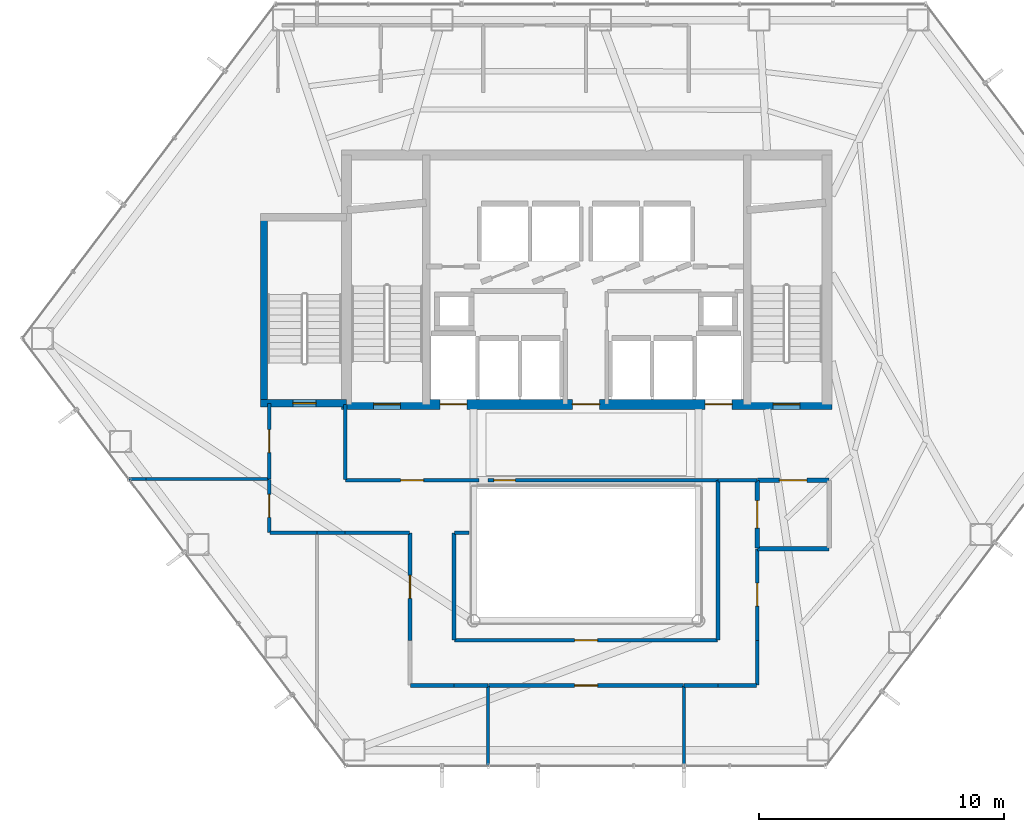
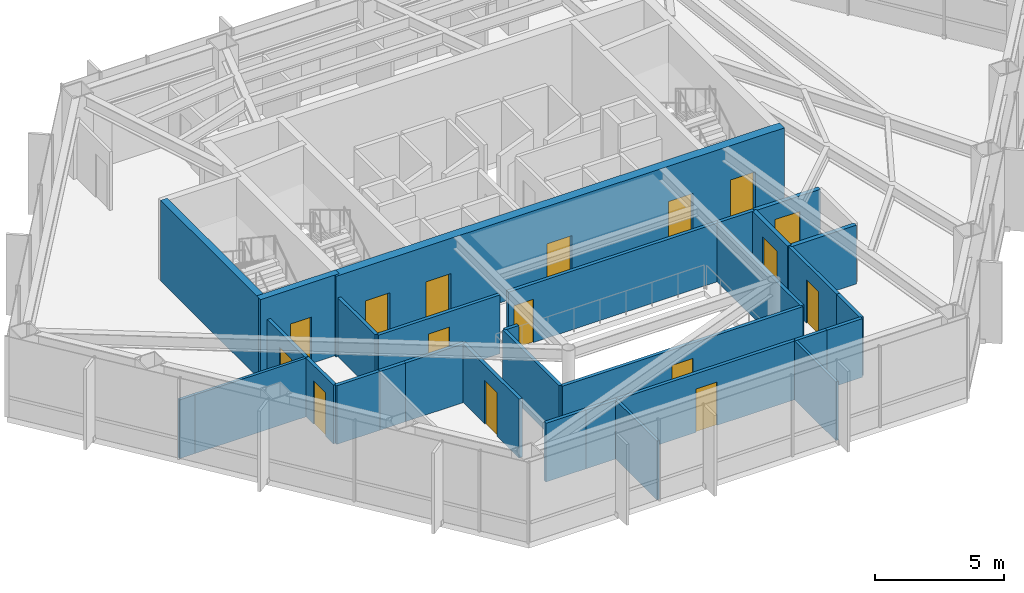
# One storey, part 22 of 25: 31 walls, 16 doors, 16 openings.
"""IFC4 building model written with IfcOpenShell, lengths in metres."""

from ifc_helpers import new_model, si_unit, direction, frame, frame_2d, origin, place, context, subcontext, project, spatial, rectangle, extrude, material, layer, layer_set, type_object, element, fill, save


model = new_model("IFC4")

# Units and contexts
model_context = context("Model", 3, precision=1e-05, world=origin(), true_north=direction((0.0, 1.0)))
body_context = subcontext(model_context, "Body", "Model", "MODEL_VIEW")
ifc_project = project(units=[si_unit("LENGTHUNIT", "METRE"), si_unit("AREAUNIT", "SQUARE_METRE"), si_unit("VOLUMEUNIT", "CUBIC_METRE"), si_unit("PLANEANGLEUNIT", "RADIAN"), si_unit("MASSUNIT", "GRAM", prefix="KILO")], contexts=[model_context])

# Site, building, storey
site_placement = place(None, origin())
site = spatial("IfcSite", under=ifc_project, at=site_placement, CompositionType="ELEMENT")
building_placement = place(site_placement, origin())
building = spatial("IfcBuilding", under=site, at=building_placement, Name="Zarrinselat Tower", CompositionType="ELEMENT")
storey_placement = place(building_placement, frame((0.0, 0.0, 84.659912109375)))
storey = spatial("IfcBuildingStorey", under=building, at=storey_placement, Name="L20", CompositionType="ELEMENT", Elevation=84.659912109375)

# Wall, opening, door
ifc_material_1 = material(Name="Concrete C40/50", Category="concrete")
ifc_layer_1 = layer(ifc_material_1, 0.18994140625)
ifc_layer_set_1 = layer_set([ifc_layer_1], Name="Concrete C40/50")
wall_type_1 = type_object("IfcWallType", Name="WAL-PART-EI120", PredefinedType="PARTITIONING", material=ifc_layer_set_1)
wall_1_placement = place(storey_placement, frame((45.405029296875, 30.14990234375, 0.0), z_axis=(0.0, 0.0, 1.0), x_axis=(1.0, 0.0, 0.0)))
wall_1 = element("IfcWall", 1, at=wall_1_placement, inside=storey, type_object=wall_type_1, Name="L20 Partition Wall 8", PredefinedType="PARTITIONING", context=body_context, shape_type="SweptSolid", body=[
    extrude(rectangle(XDim=2.925048828125, YDim=0.18994140625, at=frame_2d((1.46240234375, 0.0))), origin(), (0.0, 0.0, 1.0), 2.777099609375),
])
opening_1_placement = place(wall_1_placement, frame((0.902587890625, 0.0, 0.0)))
opening_1 = element("IfcOpeningElement", 2, at=opening_1_placement, cuts=wall_1, Name="Opening ID-02", PredefinedType="OPENING", context=body_context, shape_type="SweptSolid", body=[
    extrude(rectangle(XDim=1.1201171875, YDim=2.050048828125, at=frame_2d((0.56005859375, 1.02490234375))), frame((0.0, 0.10498046875, 0.0), z_axis=(0.0, -1.0, 0.0), x_axis=(1.0, 0.0, 0.0)), (0.0, 0.0, 1.0), 0.2099609375),
])
ifc_material_2 = material(Name="Steel S355J2", Category="steel")
door_type_1 = type_object("IfcDoorType", Name="DR-INT-FD60-W", OperationType="NOTDEFINED", PredefinedType="DOOR", material=ifc_material_2)
door_1_placement = place(opening_1_placement, origin())
door_1 = element("IfcDoor", 3, at=door_1_placement, inside=storey, type_object=door_type_1, Name="L20 Interior Door P8", OperationType="SINGLE_SWING_RIGHT", OverallHeight=2.050048828125, OverallWidth=1.1201171875, PredefinedType="DOOR", context=body_context, shape_type="SweptSolid", body=[
    extrude(rectangle(XDim=1.1201171875, YDim=2.050048828125, at=frame_2d((0.56005859375, 1.02490234375))), frame((0.0, 0.02490234375, 0.0), z_axis=(0.0, -1.0, 0.0), x_axis=(1.0, 0.0, 0.0)), (0.0, 0.0, 1.0), 0.050048828125),
])
fill(opening_1, door_1)

wall_2_placement = place(storey_placement, frame((45.39990234375, 27.3701171875, 0.0), z_axis=(0.0, 0.0, 1.0), x_axis=(0.0, 1.0, 0.0)))
wall_2 = element("IfcWall", 4, at=wall_2_placement, inside=storey, type_object=wall_type_1, Name="L20 Partition Wall 13", PredefinedType="PARTITIONING", context=body_context, shape_type="SweptSolid", body=[
    extrude(rectangle(XDim=2.759765625, YDim=0.18994140625, at=frame_2d((1.3798828125, 0.0))), origin(), (0.0, 0.0, 1.0), 2.777099609375),
])
opening_2_placement = place(wall_2_placement, frame((0.820068359375, 0.0, 0.0)))
opening_2 = element("IfcOpeningElement", 5, at=opening_2_placement, cuts=wall_2, Name="Opening ID-02", PredefinedType="OPENING", context=body_context, shape_type="SweptSolid", body=[
    extrude(rectangle(XDim=1.1201171875, YDim=2.050048828125, at=frame_2d((0.56005859375, 1.02490234375))), frame((0.0, 0.10498046875, 0.0), z_axis=(0.0, -1.0, 0.0), x_axis=(1.0, 0.0, 0.0)), (0.0, 0.0, 1.0), 0.2099609375),
])
door_2_placement = place(opening_2_placement, origin())
door_2 = element("IfcDoor", 6, at=door_2_placement, inside=storey, type_object=door_type_1, Name="L20 Interior Door P13", OperationType="SINGLE_SWING_LEFT", OverallHeight=2.050048828125, OverallWidth=1.1201171875, PredefinedType="DOOR", context=body_context, shape_type="SweptSolid", body=[
    extrude(rectangle(XDim=1.1201171875, YDim=2.050048828125, at=frame_2d((0.56005859375, 1.02490234375))), frame((0.0, 0.02490234375, 0.0), z_axis=(0.0, -1.0, 0.0), x_axis=(1.0, 0.0, 0.0)), (0.0, 0.0, 1.0), 0.050048828125),
])
fill(opening_2, door_2)

# Walls
wall_3_placement = place(storey_placement, frame((45.419921875, 27.35009765625, 0.0), z_axis=(0.0, 0.0, 1.0), x_axis=(1.0, 0.0, 0.0)))
element("IfcWall", 7, at=wall_3_placement, inside=storey, type_object=wall_type_1, Name="L20 Partition Wall 14", PredefinedType="PARTITIONING", context=body_context, shape_type="SweptSolid", body=[
    extrude(rectangle(XDim=2.91015625, YDim=0.18994140625, at=frame_2d((1.455078125, 0.0))), origin(), (0.0, 0.0, 1.0), 2.777099609375),
])
ifc_material_3 = material(Name="Fire-Rated Gypsum Board Partition", Category="gypsum")
ifc_layer_2 = layer(ifc_material_3, 0.14990234375)
ifc_layer_set_2 = layer_set([ifc_layer_2], Name="Fire-Rated Gypsum Board Partition")
wall_type_2 = type_object("IfcWallType", Name="WAL-PART-EI60", PredefinedType="PARTITIONING", material=ifc_layer_set_2)
wall_4_placement = place(storey_placement, frame((43.804931640625, 30.14990234375, 0.0), z_axis=(0.0, 0.0, 1.0), x_axis=(1.0, 0.0, 0.0)))
element("IfcWall", 8, at=wall_4_placement, inside=storey, type_object=wall_type_2, Name="L20 Partition Wall 9", PredefinedType="PARTITIONING", context=body_context, shape_type="SweptSolid", body=[
    extrude(rectangle(XDim=1.590087890625, YDim=0.14990234375, at=frame_2d((0.794921875, 0.0))), origin(), (0.0, 0.0, 1.0), 2.777099609375),
])

# Wall, opening, door
wall_5_placement = place(storey_placement, frame((28.570068359375, 30.14990234375, 0.0), z_axis=(0.0, 0.0, 1.0), x_axis=(1.0, 0.0, 0.0)))
wall_5 = element("IfcWall", 9, at=wall_5_placement, inside=storey, type_object=wall_type_2, Name="L20 Partition Wall 10", PredefinedType="PARTITIONING", context=body_context, shape_type="SweptSolid", body=[
    extrude(rectangle(XDim=5.44482421875, YDim=0.14990234375, at=frame_2d((2.722412109375, 0.0))), origin(), (0.0, 0.0, 1.0), 2.777099609375),
])
opening_3_placement = place(wall_5_placement, frame((2.25244140625, 0.0, 0.0)))
opening_3 = element("IfcOpeningElement", 10, at=opening_3_placement, cuts=wall_5, Name="Opening ID-04", PredefinedType="OPENING", context=body_context, shape_type="SweptSolid", body=[
    extrude(rectangle(XDim=0.93994140625, YDim=2.050048828125, at=frame_2d((0.469970703125, 1.02490234375))), frame((0.0, 0.0849609375, 0.0), z_axis=(0.0, -1.0, 0.0), x_axis=(1.0, 0.0, 0.0)), (0.0, 0.0, 1.0), 0.169921875),
])
ifc_material_4 = material(Name="Fire-Rated Gypsum Board Partition")
door_type_2 = type_object("IfcDoorType", Name="DR-INT-FD30-ENT", OperationType="NOTDEFINED", PredefinedType="DOOR", material=ifc_material_4)
door_3_placement = place(opening_3_placement, origin())
door_3 = element("IfcDoor", 11, at=door_3_placement, inside=storey, type_object=door_type_2, Name="L20 Interior Door P10", OperationType="SINGLE_SWING_LEFT", OverallHeight=2.050048828125, OverallWidth=0.93994140625, PredefinedType="DOOR", context=body_context, shape_type="SweptSolid", body=[
    extrude(rectangle(XDim=0.93994140625, YDim=2.050048828125, at=frame_2d((0.469970703125, 1.02490234375))), frame((0.0, 0.02490234375, 0.0), z_axis=(0.0, -1.0, 0.0), x_axis=(1.0, 0.0, 0.0)), (0.0, 0.0, 1.0), 0.050048828125),
])
fill(opening_3, door_3)

# Wall
wall_6_placement = place(storey_placement, frame((28.550048828125, 30.169921875, 0.0), z_axis=(0.0, 0.0, 1.0), x_axis=(0.0, 1.0, 0.0)))
element("IfcWall", 12, at=wall_6_placement, inside=storey, type_object=wall_type_2, Name="L20 Partition Wall 11", PredefinedType="PARTITIONING", context=body_context, shape_type="SweptSolid", body=[
    extrude(rectangle(XDim=3.065185546875, YDim=0.14990234375, at=frame_2d((1.53271484375, 0.0))), origin(), (0.0, 0.0, 1.0), 2.777099609375),
])

# Wall, opening, door
wall_7_placement = place(storey_placement, frame((34.385009765625, 30.14990234375, 0.0), z_axis=(0.0, 0.0, 1.0), x_axis=(1.0, 0.0, 0.0)))
wall_7 = element("IfcWall", 13, at=wall_7_placement, inside=storey, type_object=wall_type_2, Name="L20 Partition Wall 12", PredefinedType="PARTITIONING", context=body_context, shape_type="SweptSolid", body=[
    extrude(rectangle(XDim=9.409912109375, YDim=0.14990234375, at=frame_2d((4.705078125, 0.0))), origin(), (0.0, 0.0, 1.0), 2.777099609375),
])
opening_4_placement = place(wall_7_placement, frame((0.25, 0.0, 0.0)))
opening_4 = element("IfcOpeningElement", 14, at=opening_4_placement, cuts=wall_7, Name="Opening ID-03", PredefinedType="OPENING", context=body_context, shape_type="SweptSolid", body=[
    extrude(rectangle(XDim=0.8798828125, YDim=2.050048828125, at=frame_2d((0.43994140625, 1.02490234375))), frame((0.0, 0.0849609375, 0.0), z_axis=(0.0, -1.0, 0.0), x_axis=(1.0, 0.0, 0.0)), (0.0, 0.0, 1.0), 0.169921875),
])
ifc_material_5 = material(Name="Steel S355J2", Category="steel")
door_type_3 = type_object("IfcDoorType", Name="DR-INT-FD60-S", OperationType="NOTDEFINED", PredefinedType="DOOR", material=ifc_material_5)
door_4_placement = place(opening_4_placement, origin())
door_4 = element("IfcDoor", 15, at=door_4_placement, inside=storey, type_object=door_type_3, Name="L20 Interior Door P12", OperationType="SINGLE_SWING_RIGHT", OverallHeight=2.050048828125, OverallWidth=0.8798828125, PredefinedType="DOOR", context=body_context, shape_type="SweptSolid", body=[
    extrude(rectangle(XDim=0.8798828125, YDim=2.050048828125, at=frame_2d((0.43994140625, 1.02490234375))), frame((0.0, 0.02490234375, 0.0), z_axis=(0.0, -1.0, 0.0), x_axis=(1.0, 0.0, 0.0)), (0.0, 0.0, 1.0), 0.050048828125),
])
fill(opening_4, door_4)

wall_8_placement = place(storey_placement, frame((34.405029296875, 21.75, 0.0), z_axis=(0.0, 0.0, 1.0), x_axis=(1.0, 0.0, 0.0)))
wall_8 = element("IfcWall", 16, at=wall_8_placement, inside=storey, type_object=wall_type_2, Name="L20 Partition Wall 16", PredefinedType="PARTITIONING", context=body_context, shape_type="SweptSolid", body=[
    extrude(rectangle(XDim=7.989990234375, YDim=0.14990234375, at=frame_2d((3.9951171875, 0.0))), origin(), (0.0, 0.0, 1.0), 2.777099609375),
])
opening_5_placement = place(wall_8_placement, frame((3.52490234375, 0.0, 0.0)))
opening_5 = element("IfcOpeningElement", 17, at=opening_5_placement, cuts=wall_8, Name="Opening ID-04", PredefinedType="OPENING", context=body_context, shape_type="SweptSolid", body=[
    extrude(rectangle(XDim=0.93994140625, YDim=2.050048828125, at=frame_2d((0.469970703125, 1.02490234375))), frame((0.0, 0.0849609375, 0.0), z_axis=(0.0, -1.0, 0.0), x_axis=(1.0, 0.0, 0.0)), (0.0, 0.0, 1.0), 0.169921875),
])
door_5_placement = place(opening_5_placement, origin())
door_5 = element("IfcDoor", 18, at=door_5_placement, inside=storey, type_object=door_type_2, Name="L20 Interior Door P16", OperationType="SINGLE_SWING_RIGHT", OverallHeight=2.050048828125, OverallWidth=0.93994140625, PredefinedType="DOOR", context=body_context, shape_type="SweptSolid", body=[
    extrude(rectangle(XDim=0.93994140625, YDim=2.050048828125, at=frame_2d((0.469970703125, 1.02490234375))), frame((0.0, 0.02490234375, 0.0), z_axis=(0.0, -1.0, 0.0), x_axis=(1.0, 0.0, 0.0)), (0.0, 0.0, 1.0), 0.050048828125),
])
fill(opening_5, door_5)

# Walls
wall_9_placement = place(storey_placement, frame((33.0, 21.75, 0.0), z_axis=(0.0, 0.0, 1.0), x_axis=(1.0, 0.0, 0.0)))
element("IfcWall", 19, at=wall_9_placement, inside=storey, type_object=wall_type_2, Name="L20 Partition Wall 17", PredefinedType="PARTITIONING", context=body_context, shape_type="SweptSolid", body=[
    extrude(rectangle(XDim=1.39501953125, YDim=0.14990234375, at=frame_2d((0.697509765625, 0.0))), origin(), (0.0, 0.0, 1.0), 2.777099609375),
])
wall_10_placement = place(storey_placement, frame((31.219970703125, 21.75, 0.0), z_axis=(0.0, 0.0, 1.0), x_axis=(1.0, 0.0, 0.0)))
element("IfcWall", 20, at=wall_10_placement, inside=storey, type_object=wall_type_2, Name="L20 Partition Wall 18", PredefinedType="PARTITIONING", context=body_context, shape_type="SweptSolid", body=[
    extrude(rectangle(XDim=1.780029296875, YDim=0.14990234375, at=frame_2d((0.89013671875, 0.0))), origin(), (0.0, 0.0, 1.0), 2.777099609375),
])

# Wall, opening, door
wall_11_placement = place(storey_placement, frame((31.199951171875, 23.60009765625, 0.0), z_axis=(0.0, 0.0, 1.0), x_axis=(0.0, 1.0, 0.0)))
wall_11 = element("IfcWall", 21, at=wall_11_placement, inside=storey, type_object=wall_type_2, Name="L20 Partition Wall 20", PredefinedType="PARTITIONING", context=body_context, shape_type="SweptSolid", body=[
    extrude(rectangle(XDim=4.3798828125, YDim=0.14990234375, at=frame_2d((2.18994140625, 0.0))), origin(), (0.0, 0.0, 1.0), 2.777099609375),
])
opening_6_placement = place(wall_11_placement, frame((1.719970703125, 0.0, 0.0)))
opening_6 = element("IfcOpeningElement", 22, at=opening_6_placement, cuts=wall_11, Name="Opening ID-04", PredefinedType="OPENING", context=body_context, shape_type="SweptSolid", body=[
    extrude(rectangle(XDim=0.93994140625, YDim=2.050048828125, at=frame_2d((0.469970703125, 1.02490234375))), frame((0.0, 0.0849609375, 0.0), z_axis=(0.0, -1.0, 0.0), x_axis=(1.0, 0.0, 0.0)), (0.0, 0.0, 1.0), 0.169921875),
])
door_6_placement = place(opening_6_placement, origin())
door_6 = element("IfcDoor", 23, at=door_6_placement, inside=storey, type_object=door_type_2, Name="L20 Interior Door P20", OperationType="SINGLE_SWING_LEFT", OverallHeight=2.050048828125, OverallWidth=0.93994140625, PredefinedType="DOOR", context=body_context, shape_type="SweptSolid", body=[
    extrude(rectangle(XDim=0.93994140625, YDim=2.050048828125, at=frame_2d((0.469970703125, 1.02490234375))), frame((0.0, 0.02490234375, 0.0), z_axis=(0.0, -1.0, 0.0), x_axis=(1.0, 0.0, 0.0)), (0.0, 0.0, 1.0), 0.050048828125),
])
fill(opening_6, door_6)

# Walls
wall_12_placement = place(storey_placement, frame((28.550048828125, 28.0, 0.0), z_axis=(0.0, 0.0, 1.0), x_axis=(1.0, 0.0, 0.0)))
element("IfcWall", 24, at=wall_12_placement, inside=storey, type_object=wall_type_2, Name="L20 Partition Wall 21", PredefinedType="PARTITIONING", context=body_context, shape_type="SweptSolid", body=[
    extrude(rectangle(XDim=2.6298828125, YDim=0.14990234375, at=frame_2d((1.31494140625, 0.0))), origin(), (0.0, 0.0, 1.0), 2.777099609375),
])
wall_13_placement = place(storey_placement, frame((27.405029296875, 28.0, 0.0), z_axis=(0.0, 0.0, 1.0), x_axis=(1.0, 0.0, 0.0)))
element("IfcWall", 25, at=wall_13_placement, inside=storey, type_object=wall_type_2, Name="L20 Partition Wall 22", PredefinedType="PARTITIONING", context=body_context, shape_type="SweptSolid", body=[
    extrude(rectangle(XDim=1.14501953125, YDim=0.14990234375, at=frame_2d((0.572509765625, 0.0))), origin(), (0.0, 0.0, 1.0), 2.777099609375),
])

# Wall, opening, door
wall_14_placement = place(storey_placement, frame((45.39990234375, 23.60009765625, 0.0), z_axis=(0.0, 0.0, 1.0), x_axis=(0.0, 1.0, 0.0)))
wall_14 = element("IfcWall", 26, at=wall_14_placement, inside=storey, type_object=wall_type_2, Name="L20 Partition Wall 23", PredefinedType="PARTITIONING", context=body_context, shape_type="SweptSolid", body=[
    extrude(rectangle(XDim=3.72998046875, YDim=0.14990234375, at=frame_2d((1.864990234375, 0.0))), origin(), (0.0, 0.0, 1.0), 2.777099609375),
])
opening_7_placement = place(wall_14_placement, frame((1.39501953125, 0.0, 0.0)))
opening_7 = element("IfcOpeningElement", 27, at=opening_7_placement, cuts=wall_14, Name="Opening ID-04", PredefinedType="OPENING", context=body_context, shape_type="SweptSolid", body=[
    extrude(rectangle(XDim=0.93994140625, YDim=2.050048828125, at=frame_2d((0.469970703125, 1.02490234375))), frame((0.0, 0.0849609375, 0.0), z_axis=(0.0, -1.0, 0.0), x_axis=(1.0, 0.0, 0.0)), (0.0, 0.0, 1.0), 0.169921875),
])
door_7_placement = place(opening_7_placement, origin())
door_7 = element("IfcDoor", 28, at=door_7_placement, inside=storey, type_object=door_type_2, Name="L20 Interior Door P23", OperationType="SINGLE_SWING_RIGHT", OverallHeight=2.050048828125, OverallWidth=0.93994140625, PredefinedType="DOOR", context=body_context, shape_type="SweptSolid", body=[
    extrude(rectangle(XDim=0.93994140625, YDim=2.050048828125, at=frame_2d((0.469970703125, 1.02490234375))), frame((0.0, 0.02490234375, 0.0), z_axis=(0.0, -1.0, 0.0), x_axis=(1.0, 0.0, 0.0)), (0.0, 0.0, 1.0), 0.050048828125),
])
fill(opening_7, door_7)

# Walls
wall_15_placement = place(storey_placement, frame((45.39990234375, 21.77001953125, 0.0), z_axis=(0.0, 0.0, 1.0), x_axis=(0.0, 1.0, 0.0)))
element("IfcWall", 29, at=wall_15_placement, inside=storey, type_object=wall_type_2, Name="L20 Partition Wall 24", PredefinedType="PARTITIONING", context=body_context, shape_type="SweptSolid", body=[
    extrude(rectangle(XDim=1.830078125, YDim=0.14990234375, at=frame_2d((0.9150390625, 0.0))), origin(), (0.0, 0.0, 1.0), 2.777099609375),
])
wall_16_placement = place(storey_placement, frame((43.800048828125, 21.75, 0.0), z_axis=(0.0, 0.0, 1.0), x_axis=(1.0, 0.0, 0.0)))
element("IfcWall", 30, at=wall_16_placement, inside=storey, type_object=wall_type_2, Name="L20 Partition Wall 25", PredefinedType="PARTITIONING", context=body_context, shape_type="SweptSolid", body=[
    extrude(rectangle(XDim=1.579833984375, YDim=0.14990234375, at=frame_2d((0.7900390625, 0.0))), origin(), (0.0, 0.0, 1.0), 2.777099609375),
])
wall_17_placement = place(storey_placement, frame((42.405029296875, 21.75, 0.0), z_axis=(0.0, 0.0, 1.0), x_axis=(1.0, 0.0, 0.0)))
element("IfcWall", 31, at=wall_17_placement, inside=storey, type_object=wall_type_2, Name="L20 Partition Wall 26", PredefinedType="PARTITIONING", context=body_context, shape_type="SweptSolid", body=[
    extrude(rectangle(XDim=1.39501953125, YDim=0.14990234375, at=frame_2d((0.697509765625, 0.0))), origin(), (0.0, 0.0, 1.0), 2.777099609375),
])
wall_18_placement = place(storey_placement, frame((25.469970703125, 28.0, 0.0), z_axis=(0.0, 0.0, 1.0), x_axis=(1.0, 0.0, 0.0)))
element("IfcWall", 32, at=wall_18_placement, inside=storey, type_object=wall_type_2, Name="L20 Partition Wall 27", PredefinedType="PARTITIONING", context=body_context, shape_type="SweptSolid", body=[
    extrude(rectangle(XDim=1.925048828125, YDim=0.14990234375, at=frame_2d((0.96240234375, 0.0))), origin(), (0.0, 0.0, 1.0), 2.777099609375),
])

# Wall, opening, door
wall_19_placement = place(storey_placement, frame((25.449951171875, 28.02001953125, 0.0), z_axis=(0.0, 0.0, 1.0), x_axis=(0.0, 1.0, 0.0)))
wall_19 = element("IfcWall", 33, at=wall_19_placement, inside=storey, type_object=wall_type_2, Name="L20 Partition Wall 28", PredefinedType="PARTITIONING", context=body_context, shape_type="SweptSolid", body=[
    extrude(rectangle(XDim=2.1650390625, YDim=0.14990234375, at=frame_2d((1.08251953125, 0.0))), origin(), (0.0, 0.0, 1.0), 2.777099609375),
])
opening_8_placement = place(wall_19_placement, frame((0.612548828125, 0.0, 0.0)))
opening_8 = element("IfcOpeningElement", 34, at=opening_8_placement, cuts=wall_19, Name="Opening ID-04", PredefinedType="OPENING", context=body_context, shape_type="SweptSolid", body=[
    extrude(rectangle(XDim=0.93994140625, YDim=2.050048828125, at=frame_2d((0.469970703125, 1.02490234375))), frame((0.0, 0.0849609375, 0.0), z_axis=(0.0, -1.0, 0.0), x_axis=(1.0, 0.0, 0.0)), (0.0, 0.0, 1.0), 0.169921875),
])
door_8_placement = place(opening_8_placement, origin())
door_8 = element("IfcDoor", 35, at=door_8_placement, inside=storey, type_object=door_type_2, Name="L20 Interior Door P28", OperationType="SINGLE_SWING_LEFT", OverallHeight=2.050048828125, OverallWidth=0.93994140625, PredefinedType="DOOR", context=body_context, shape_type="SweptSolid", body=[
    extrude(rectangle(XDim=0.93994140625, YDim=2.050048828125, at=frame_2d((0.469970703125, 1.02490234375))), frame((0.0, 0.02490234375, 0.0), z_axis=(0.0, -1.0, 0.0), x_axis=(1.0, 0.0, 0.0)), (0.0, 0.0, 1.0), 0.050048828125),
])
fill(opening_8, door_8)

wall_20_placement = place(storey_placement, frame((25.449951171875, 30.205078125, 0.0), z_axis=(0.0, 0.0, 1.0), x_axis=(0.0, 1.0, 0.0)))
wall_20 = element("IfcWall", 36, at=wall_20_placement, inside=storey, type_object=wall_type_2, Name="L20 Partition Wall 29", PredefinedType="PARTITIONING", context=body_context, shape_type="SweptSolid", body=[
    extrude(rectangle(XDim=3.079833984375, YDim=0.14990234375, at=frame_2d((1.5400390625, 0.0))), origin(), (0.0, 0.0, 1.0), 2.777099609375),
])
opening_9_placement = place(wall_20_placement, frame((1.070068359375, 0.0, 0.0)))
opening_9 = element("IfcOpeningElement", 37, at=opening_9_placement, cuts=wall_20, Name="Opening ID-04", PredefinedType="OPENING", context=body_context, shape_type="SweptSolid", body=[
    extrude(rectangle(XDim=0.93994140625, YDim=2.050048828125, at=frame_2d((0.469970703125, 1.02490234375))), frame((0.0, 0.0849609375, 0.0), z_axis=(0.0, -1.0, 0.0), x_axis=(1.0, 0.0, 0.0)), (0.0, 0.0, 1.0), 0.169921875),
])
door_9_placement = place(opening_9_placement, origin())
door_9 = element("IfcDoor", 38, at=door_9_placement, inside=storey, type_object=door_type_2, Name="L20 Interior Door P29", OperationType="SINGLE_SWING_RIGHT", OverallHeight=2.050048828125, OverallWidth=0.93994140625, PredefinedType="DOOR", context=body_context, shape_type="SweptSolid", body=[
    extrude(rectangle(XDim=0.93994140625, YDim=2.050048828125, at=frame_2d((0.469970703125, 1.02490234375))), frame((0.0, 0.02490234375, 0.0), z_axis=(0.0, -1.0, 0.0), x_axis=(1.0, 0.0, 0.0)), (0.0, 0.0, 1.0), 0.050048828125),
])
fill(opening_9, door_9)

# Walls
wall_21_placement = place(storey_placement, frame((33.02001953125, 28.0, 0.0), z_axis=(0.0, 0.0, 1.0), x_axis=(1.0, 0.0, 0.0)))
element("IfcWall", 39, at=wall_21_placement, inside=storey, type_object=wall_type_2, Name="L20 Partition Wall 30", PredefinedType="PARTITIONING", context=body_context, shape_type="SweptSolid", body=[
    extrude(rectangle(XDim=0.60009765625, YDim=0.14990234375, at=frame_2d((0.300048828125, 0.0))), origin(), (0.0, 0.0, 1.0), 2.777099609375),
])
wall_22_placement = place(storey_placement, frame((33.0, 23.6201171875, 0.0), z_axis=(0.0, 0.0, 1.0), x_axis=(0.0, 1.0, 0.0)))
element("IfcWall", 40, at=wall_22_placement, inside=storey, type_object=wall_type_2, Name="L20 Partition Wall 31", PredefinedType="PARTITIONING", context=body_context, shape_type="SweptSolid", body=[
    extrude(rectangle(XDim=4.35986328125, YDim=0.14990234375, at=frame_2d((2.179931640625, 0.0))), origin(), (0.0, 0.0, 1.0), 2.777099609375),
])

# Wall, opening, door
wall_23_placement = place(storey_placement, frame((33.02001953125, 23.60009765625, 0.0), z_axis=(0.0, 0.0, 1.0), x_axis=(1.0, 0.0, 0.0)))
wall_23 = element("IfcWall", 41, at=wall_23_placement, inside=storey, type_object=wall_type_2, Name="L20 Partition Wall 32", PredefinedType="PARTITIONING", context=body_context, shape_type="SweptSolid", body=[
    extrude(rectangle(XDim=10.760009765625, YDim=0.14990234375, at=frame_2d((5.3798828125, 0.0))), origin(), (0.0, 0.0, 1.0), 2.777099609375),
])
opening_10_placement = place(wall_23_placement, frame((4.909912109375, 0.0, 0.0)))
opening_10 = element("IfcOpeningElement", 42, at=opening_10_placement, cuts=wall_23, Name="Opening ID-04", PredefinedType="OPENING", context=body_context, shape_type="SweptSolid", body=[
    extrude(rectangle(XDim=0.93994140625, YDim=2.050048828125, at=frame_2d((0.469970703125, 1.02490234375))), frame((0.0, 0.0849609375, 0.0), z_axis=(0.0, -1.0, 0.0), x_axis=(1.0, 0.0, 0.0)), (0.0, 0.0, 1.0), 0.169921875),
])
door_10_placement = place(opening_10_placement, origin())
door_10 = element("IfcDoor", 43, at=door_10_placement, inside=storey, type_object=door_type_2, Name="L20 Interior Door P32", OperationType="SINGLE_SWING_LEFT", OverallHeight=2.050048828125, OverallWidth=0.93994140625, PredefinedType="DOOR", context=body_context, shape_type="SweptSolid", body=[
    extrude(rectangle(XDim=0.93994140625, YDim=2.050048828125, at=frame_2d((0.469970703125, 1.02490234375))), frame((0.0, 0.02490234375, 0.0), z_axis=(0.0, -1.0, 0.0), x_axis=(1.0, 0.0, 0.0)), (0.0, 0.0, 1.0), 0.050048828125),
])
fill(opening_10, door_10)

# Walls
wall_24_placement = place(storey_placement, frame((43.800048828125, 23.6201171875, 0.0), z_axis=(0.0, 0.0, 1.0), x_axis=(0.0, 1.0, 0.0)))
element("IfcWall", 44, at=wall_24_placement, inside=storey, type_object=wall_type_2, Name="L20 Partition Wall 33", PredefinedType="PARTITIONING", context=body_context, shape_type="SweptSolid", body=[
    extrude(rectangle(XDim=6.509765625, YDim=0.14990234375, at=frame_2d((3.2548828125, 0.0))), origin(), (0.0, 0.0, 1.0), 2.777099609375),
])
ifc_material_6 = material(Name="Fire-Rated Gypsum Board Partition", Category="gypsum")
ifc_layer_3 = layer(ifc_material_6, 0.1201171875)
ifc_layer_set_3 = layer_set([ifc_layer_3], Name="Fire-Rated Gypsum Board Partition")
wall_type_3 = type_object("IfcWallType", Name="WAL-PART-STD", PredefinedType="PARTITIONING", material=ifc_layer_set_3)
for number, where, z_axis, x_axis, name in (
    (45, (34.39990234375, 18.47509765625, 0.0), (0.0, 0.0, 1.0), (0.0, 1.0, 0.0), "L20 Partition Wall 44"),
    (46, (42.39990234375, 18.47509765625, 0.0), (0.0, 0.0, 1.0), (0.0, 1.0, 0.0), "L20 Partition Wall 45"),
):
    element("IfcWall", number, at=place(storey_placement, frame(where, z_axis=z_axis, x_axis=x_axis)), inside=storey, type_object=wall_type_3, Name=name, PredefinedType="PARTITIONING", context=body_context, shape_type="SweptSolid", body=[
        extrude(rectangle(XDim=3.2548828125, YDim=0.1201171875, at=frame_2d((1.62744140625, 0.0))), origin(), (0.0, 0.0, 1.0), 2.777099609375),
    ])
wall_25_placement = place(storey_placement, frame((19.715576171875, 30.199951171875, 0.0), z_axis=(0.0, 0.0, 1.0), x_axis=(1.0, 0.0, 0.0)))
element("IfcWall", 47, at=wall_25_placement, inside=storey, type_object=wall_type_3, Name="L20 Partition Wall 48", PredefinedType="PARTITIONING", context=body_context, shape_type="SweptSolid", body=[
    extrude(rectangle(XDim=0.684326171875, YDim=0.1201171875, at=frame_2d((0.34228515625, 0.0))), origin(), (0.0, 0.0, 1.0), 2.777099609375),
])
wall_26_placement = place(storey_placement, frame((20.39990234375, 30.199951171875, 0.0), z_axis=(0.0, 0.0, 1.0), x_axis=(1.0, 0.0, 0.0)))
element("IfcWall", 48, at=wall_26_placement, inside=storey, type_object=wall_type_3, Name="L20 Partition Wall 49", PredefinedType="PARTITIONING", context=body_context, shape_type="SweptSolid", body=[
    extrude(rectangle(XDim=5.030029296875, YDim=0.1201171875, at=frame_2d((2.51513671875, 0.0))), origin(), (0.0, 0.0, 1.0), 2.777099609375),
])

# Wall, opening, door
ifc_material_7 = material(Name="Concrete C40/50", Category="concrete")
ifc_layer_4 = layer(ifc_material_7, 0.300048828125)
ifc_layer_set_4 = layer_set([ifc_layer_4], Name="Concrete C40/50")
wall_type_4 = type_object("IfcWallType", Name="WAL-SHEAR-300", PredefinedType="SHEAR", material=ifc_layer_set_4)
wall_27_placement = place(storey_placement, frame((25.080078125, 33.300048828125, 0.0), z_axis=(0.0, 0.0, 1.0), x_axis=(1.0, 0.0, 0.0)))
wall_27 = element("IfcWall", 49, at=wall_27_placement, inside=storey, type_object=wall_type_4, Name="L20 Stair 3 South Shear Wall", PredefinedType="SHEAR", context=body_context, shape_type="SweptSolid", body=[
    extrude(rectangle(XDim=3.52001953125, YDim=0.300048828125, at=frame_2d((1.760009765625, 0.0))), origin(), (0.0, 0.0, 1.0), 3.820068359375),
])
opening_11_placement = place(wall_27_placement, frame((1.3349609375, 0.0, 0.0)))
opening_11 = element("IfcOpeningElement", 50, at=opening_11_placement, cuts=wall_27, Name="Opening SD-02", PredefinedType="OPENING", context=body_context, shape_type="SweptSolid", body=[
    extrude(rectangle(XDim=0.949951171875, YDim=2.199951171875, at=frame_2d((0.47509765625, 1.10009765625))), frame((0.0, 0.159912109375, 0.0), z_axis=(0.0, -1.0, 0.0), x_axis=(1.0, 0.0, 0.0)), (0.0, 0.0, 1.0), 0.320068359375),
])
ifc_material_8 = material(Name="Steel S355J2", Category="steel")
door_type_4 = type_object("IfcDoorType", Name="DR-STAIR-1050", OperationType="NOTDEFINED", PredefinedType="DOOR", material=ifc_material_8)
door_11_placement = place(opening_11_placement, origin())
door_11 = element("IfcDoor", 51, at=door_11_placement, inside=storey, type_object=door_type_4, Name="L20 Exit Stair 3 Fire Door", OperationType="SINGLE_SWING_LEFT", OverallHeight=2.199951171875, OverallWidth=0.949951171875, PredefinedType="DOOR", context=body_context, shape_type="SweptSolid", body=[
    extrude(rectangle(XDim=0.949951171875, YDim=2.199951171875, at=frame_2d((0.47509765625, 1.10009765625))), frame((0.0, 0.02490234375, 0.0), z_axis=(0.0, -1.0, 0.0), x_axis=(1.0, 0.0, 0.0)), (0.0, 0.0, 1.0), 0.050048828125),
])
fill(opening_11, door_11)

# Wall
wall_28_placement = place(storey_placement, frame((25.22998046875, 33.300048828125, 0.0), z_axis=(0.0, 0.0, 1.0), x_axis=(0.0, 1.0, 0.0)))
element("IfcWall", 52, at=wall_28_placement, inside=storey, type_object=wall_type_4, Name="L20 Stair 3 West Shear Wall", PredefinedType="SHEAR", context=body_context, shape_type="SweptSolid", body=[
    extrude(rectangle(XDim=7.599853515625, YDim=0.300048828125, at=frame_2d((3.7998046875, 0.0))), origin(), (0.0, 0.0, 1.0), 3.820068359375),
])

# Wall, openings, doors
ifc_material_9 = material(Name="Concrete C60/75", Category="concrete")
ifc_layer_5 = layer(ifc_material_9, 0.39990234375)
ifc_layer_set_5 = layer_set([ifc_layer_5], Name="Concrete C60/75")
wall_type_5 = type_object("IfcWallType", Name="WAL-SHEAR-400", PredefinedType="SHEAR", material=ifc_layer_set_5)
wall_29_placement = place(storey_placement, frame((28.39990234375, 33.25, 0.0), z_axis=(0.0, 0.0, 1.0), x_axis=(1.0, 0.0, 0.0)))
wall_29 = element("IfcWall", 53, at=wall_29_placement, inside=storey, type_object=wall_type_5, Name="L20 South Core Shear Wall", PredefinedType="SHEAR", context=body_context, shape_type="SweptSolid", body=[
    extrude(rectangle(XDim=20.06005859375, YDim=0.39990234375, at=frame_2d((10.030029296875, 0.0))), origin(), (0.0, 0.0, 1.0), 3.820068359375),
])
opening_12_placement = place(wall_29_placement, frame((4.030029296875, 0.0, 0.0)))
opening_12 = element("IfcOpeningElement", 54, at=opening_12_placement, cuts=wall_29, Name="Opening LD-FFL1", PredefinedType="OPENING", context=body_context, shape_type="SweptSolid", body=[
    extrude(rectangle(XDim=1.10009765625, YDim=2.14990234375, at=frame_2d((0.550048828125, 1.074951171875))), frame((0.0, 0.2099609375, 0.0), z_axis=(0.0, -1.0, 0.0), x_axis=(1.0, 0.0, 0.0)), (0.0, 0.0, 1.0), 0.419921875),
])
opening_13_placement = place(wall_29_placement, frame((14.8701171875, 0.0, 0.0)))
opening_13 = element("IfcOpeningElement", 55, at=opening_13_placement, cuts=wall_29, Name="Opening LD-FFL2", PredefinedType="OPENING", context=body_context, shape_type="SweptSolid", body=[
    extrude(rectangle(XDim=1.10009765625, YDim=2.14990234375, at=frame_2d((0.550048828125, 1.074951171875))), frame((0.0, 0.2099609375, 0.0), z_axis=(0.0, -1.0, 0.0), x_axis=(1.0, 0.0, 0.0)), (0.0, 0.0, 1.0), 0.419921875),
])
opening_14_placement = place(wall_29_placement, frame((1.31005859375, 0.0, 0.0)))
opening_14 = element("IfcOpeningElement", 56, at=opening_14_placement, cuts=wall_29, Name="Opening SD-01", PredefinedType="OPENING", context=body_context, shape_type="SweptSolid", body=[
    extrude(rectangle(XDim=1.10009765625, YDim=2.199951171875, at=frame_2d((0.550048828125, 1.10009765625))), frame((0.0, 0.2099609375, 0.0), z_axis=(0.0, -1.0, 0.0), x_axis=(1.0, 0.0, 0.0)), (0.0, 0.0, 1.0), 0.419921875),
])
opening_15_placement = place(wall_29_placement, frame((9.43994140625, 0.0, 0.0)))
opening_15 = element("IfcOpeningElement", 57, at=opening_15_placement, cuts=wall_29, Name="Opening ID-02", PredefinedType="OPENING", context=body_context, shape_type="SweptSolid", body=[
    extrude(rectangle(XDim=1.1201171875, YDim=2.050048828125, at=frame_2d((0.56005859375, 1.02490234375))), frame((0.0, 0.2099609375, 0.0), z_axis=(0.0, -1.0, 0.0), x_axis=(1.0, 0.0, 0.0)), (0.0, 0.0, 1.0), 0.419921875),
])
opening_16_placement = place(wall_29_placement, frame((17.64990234375, 0.0, 0.0)))
opening_16 = element("IfcOpeningElement", 58, at=opening_16_placement, cuts=wall_29, Name="Opening SD-01", PredefinedType="OPENING", context=body_context, shape_type="SweptSolid", body=[
    extrude(rectangle(XDim=1.10009765625, YDim=2.199951171875, at=frame_2d((0.550048828125, 1.10009765625))), frame((0.0, 0.2099609375, 0.0), z_axis=(0.0, -1.0, 0.0), x_axis=(1.0, 0.0, 0.0)), (0.0, 0.0, 1.0), 0.419921875),
])
door_12_placement = place(opening_15_placement, origin())
door_12 = element("IfcDoor", 59, at=door_12_placement, inside=storey, type_object=door_type_1, Name="L20 Core Service Vestibule Fire Door", OperationType="SINGLE_SWING_RIGHT", OverallHeight=2.050048828125, OverallWidth=1.1201171875, PredefinedType="DOOR", context=body_context, shape_type="SweptSolid", body=[
    extrude(rectangle(XDim=1.1201171875, YDim=2.050048828125, at=frame_2d((0.56005859375, 1.02490234375))), frame((0.0, 0.02490234375, 0.0), z_axis=(0.0, -1.0, 0.0), x_axis=(1.0, 0.0, 0.0)), (0.0, 0.0, 1.0), 0.050048828125),
])
fill(opening_15, door_12)
ifc_material_10 = material(Name="Steel S355J2", Category="steel")
door_type_5 = type_object("IfcDoorType", Name="DR-LIFT-FF-1100", OperationType="NOTDEFINED", PredefinedType="DOOR", material=ifc_material_10)
door_13_placement = place(opening_12_placement, origin())
door_13 = element("IfcDoor", 60, at=door_13_placement, inside=storey, type_object=door_type_5, Name="L20 Lift FFL1 Sliding Landing Door", OperationType="SLIDING_TO_LEFT", OverallHeight=2.14990234375, OverallWidth=1.10009765625, PredefinedType="DOOR", context=body_context, shape_type="SweptSolid", body=[
    extrude(rectangle(XDim=1.10009765625, YDim=2.14990234375, at=frame_2d((0.550048828125, 1.074951171875))), frame((0.0, 0.02490234375, 0.0), z_axis=(0.0, -1.0, 0.0), x_axis=(1.0, 0.0, 0.0)), (0.0, 0.0, 1.0), 0.050048828125),
])
fill(opening_12, door_13)
door_14_placement = place(opening_13_placement, origin())
door_14 = element("IfcDoor", 61, at=door_14_placement, inside=storey, type_object=door_type_5, Name="L20 Lift FFL2 Sliding Landing Door", OperationType="SLIDING_TO_RIGHT", OverallHeight=2.14990234375, OverallWidth=1.10009765625, PredefinedType="DOOR", context=body_context, shape_type="SweptSolid", body=[
    extrude(rectangle(XDim=1.10009765625, YDim=2.14990234375, at=frame_2d((0.550048828125, 1.074951171875))), frame((0.0, 0.02490234375, 0.0), z_axis=(0.0, -1.0, 0.0), x_axis=(1.0, 0.0, 0.0)), (0.0, 0.0, 1.0), 0.050048828125),
])
fill(opening_13, door_14)
ifc_material_11 = material(Name="Steel S355J2", Category="steel")
door_type_6 = type_object("IfcDoorType", Name="DR-STAIR-1100", OperationType="NOTDEFINED", PredefinedType="DOOR", material=ifc_material_11)
door_15_placement = place(opening_14_placement, origin())
door_15 = element("IfcDoor", 62, at=door_15_placement, inside=storey, type_object=door_type_6, Name="L20 Exit Stair 1 Fire Door", OperationType="SINGLE_SWING_LEFT", OverallHeight=2.199951171875, OverallWidth=1.10009765625, PredefinedType="DOOR", context=body_context, shape_type="SweptSolid", body=[
    extrude(rectangle(XDim=1.10009765625, YDim=2.199951171875, at=frame_2d((0.550048828125, 1.10009765625))), frame((0.0, 0.02490234375, 0.0), z_axis=(0.0, -1.0, 0.0), x_axis=(1.0, 0.0, 0.0)), (0.0, 0.0, 1.0), 0.050048828125),
])
fill(opening_14, door_15)
door_16_placement = place(opening_16_placement, origin())
door_16 = element("IfcDoor", 63, at=door_16_placement, inside=storey, type_object=door_type_6, Name="L20 Exit Stair 2 Fire Door", OperationType="SINGLE_SWING_RIGHT", OverallHeight=2.199951171875, OverallWidth=1.10009765625, PredefinedType="DOOR", context=body_context, shape_type="SweptSolid", body=[
    extrude(rectangle(XDim=1.10009765625, YDim=2.199951171875, at=frame_2d((0.550048828125, 1.10009765625))), frame((0.0, 0.02490234375, 0.0), z_axis=(0.0, -1.0, 0.0), x_axis=(1.0, 0.0, 0.0)), (0.0, 0.0, 1.0), 0.050048828125),
])
fill(opening_16, door_16)

save(model, "model.ifc")
